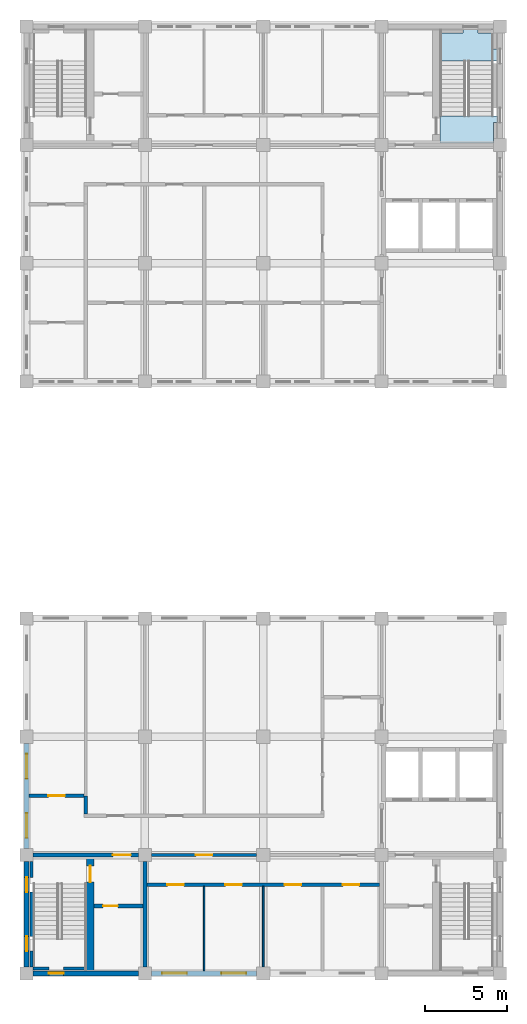
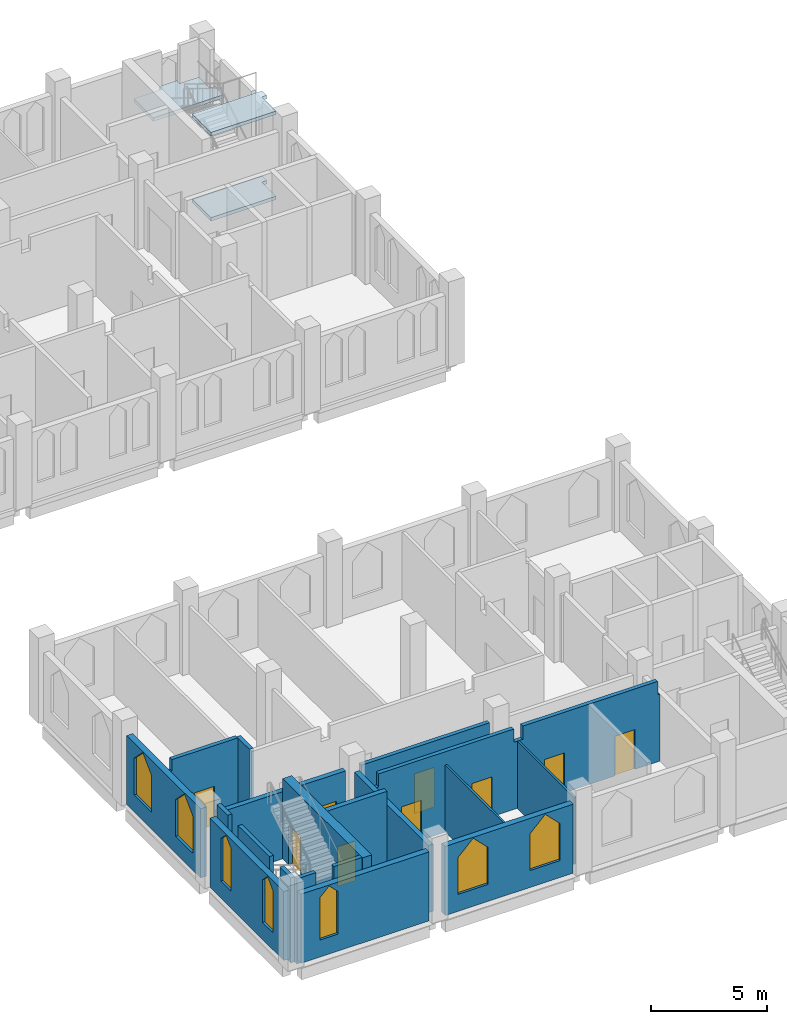
# One storey, part 2 of 11: 19 walls, 9 doors, 7 windows, 3 slabs, 16 openings, 1 element without a shape of its own.
"""IFC4 building model written with IfcOpenShell, lengths in metres."""

from ifc_helpers import new_model, si_unit, direction, frame, frame_2d, origin, place, context, subcontext, project, spatial, polyline, rectangle, outline, extrude, material, layer, layer_set, type_object, element, fill, aggregate, save


model = new_model("IFC4")

# Units and contexts
model_context = context("Model", 3, precision=1e-05, world=origin(), true_north=direction((0.0, 1.0)))
body_context = subcontext(model_context, "Body", "Model", "MODEL_VIEW")
ifc_project = project(units=[si_unit("LENGTHUNIT", "METRE"), si_unit("AREAUNIT", "SQUARE_METRE"), si_unit("VOLUMEUNIT", "CUBIC_METRE"), si_unit("PLANEANGLEUNIT", "RADIAN"), si_unit("MASSUNIT", "GRAM", prefix="KILO")], contexts=[model_context])

# Site, building, storey
site_placement = place(None, origin())
site = spatial("IfcSite", under=ifc_project, at=site_placement, CompositionType="ELEMENT")
building_placement = place(site_placement, origin())
building = spatial("IfcBuilding", under=site, at=building_placement, Name="Silangan Lancet Faculty of Sciences", CompositionType="ELEMENT")
storey_placement = place(building_placement, frame((0.0, 0.0, 45.300048828125)))
storey = spatial("IfcBuildingStorey", under=building, at=storey_placement, Name="L09", CompositionType="ELEMENT", Elevation=45.300048828125)

# Stair, slabs
ifc_material_1 = material(Name="Concrete C40/50", Category="concrete")
stair_type = type_object("IfcStairType", Name="TURRET STAIR 1550 TWO-FLIGHT", PredefinedType="HALF_TURN_STAIR", material=ifc_material_1)
stair_placement = place(storey_placement, origin())
stair = element("IfcStair", 1, at=stair_placement, inside=storey, type_object=stair_type, Name="NT-B stair L09", PredefinedType="HALF_TURN_STAIR")
ifc_material_2 = material(Name="Concrete C40/50", Category="concrete")
ifc_layer_1 = layer(ifc_material_2, 0.179931640625)
ifc_layer_set_1 = layer_set([ifc_layer_1], Name="Concrete C40/50")
slab_type = type_object("IfcSlabType", Name="TURRET STAIR LANDING RC 180", PredefinedType="LANDING", material=ifc_layer_set_1)
slab_1_placement = place(storey_placement, frame((0.0, 0.0, -0.179931640625)))
slab_1 = element("IfcSlab", 2, at=slab_1_placement, type_object=slab_type, Name="STR4 landing 1", PredefinedType="LANDING", context=body_context, shape_type="SweptSolid", body=[
    extrude(outline(polyline([(28.64990234375, 51.75), (28.39990234375, 51.75), (28.39990234375, 50.52490234375), (25.14990234375, 50.52490234375), (25.14990234375, 52.14990234375), (28.64990234375, 52.14990234375), (28.64990234375, 51.75)])), origin(), (0.0, 0.0, 1.0), 0.179931640625),
])
slab_2_placement = place(storey_placement, frame((0.0, 0.0, 2.070068359375)))
slab_2 = element("IfcSlab", 3, at=slab_2_placement, type_object=slab_type, Name="STR4 landing 2", PredefinedType="LANDING", context=body_context, shape_type="SweptSolid", body=[
    extrude(outline(polyline([(26.550048828125, 57.199951171875), (26.550048828125, 57.449951171875), (27.449951171875, 57.449951171875), (27.449951171875, 57.199951171875), (28.39990234375, 57.199951171875), (28.39990234375, 56.25), (28.64990234375, 56.25), (28.64990234375, 55.510009765625), (25.14990234375, 55.510009765625), (25.14990234375, 57.199951171875), (26.550048828125, 57.199951171875)])), origin(), (0.0, 0.0, 1.0), 0.179931640625),
])
slab_3_placement = place(storey_placement, frame((0.0, 0.0, 4.320068359375)))
slab_3 = element("IfcSlab", 4, at=slab_3_placement, type_object=slab_type, Name="STR4 landing 3", PredefinedType="LANDING", context=body_context, shape_type="SweptSolid", body=[
    extrude(outline(polyline([(28.64990234375, 51.75), (28.39990234375, 51.75), (28.39990234375, 50.52490234375), (25.14990234375, 50.52490234375), (25.14990234375, 52.14990234375), (28.64990234375, 52.14990234375), (28.64990234375, 51.75)])), origin(), (0.0, 0.0, 1.0), 0.179931640625),
])
aggregate(stair, [slab_1, slab_2, slab_3])

# Wall, openings, windows
ifc_material_3 = material(Name="Concrete C40/50 precast", Category="concrete")
ifc_layer_2 = layer(ifc_material_3, 0.300048828125)
ifc_layer_set_2 = layer_set([ifc_layer_2], Name="Concrete C40/50 precast")
wall_type_1 = type_object("IfcWallType", Name="EW1 Precast cladding wall", PredefinedType="STANDARD", material=ifc_layer_set_2)
wall_1_placement = place(storey_placement, frame((0.0, 7.60009765625, 0.0), z_axis=(0.0, 0.0, 1.0), x_axis=(0.0, 1.0, 0.0)))
wall_1 = element("IfcWall", 5, at=wall_1_placement, inside=storey, type_object=wall_type_1, Name="EW-L09-W-ST-01", PredefinedType="STANDARD", context=body_context, shape_type="SweptSolid", body=[
    extrude(rectangle(XDim=6.39990234375, YDim=0.300048828125, at=frame_2d((3.199951171875, 0.0))), origin(), (0.0, 0.0, 1.0), 3.64990234375),
])
opening_1_placement = place(wall_1_placement, frame((0.64990234375, 0.0, 0.89990234375)))
opening_1 = element("IfcOpeningElement", 6, at=opening_1_placement, cuts=wall_1, Name="Opening W23", PredefinedType="OPENING", context=body_context, shape_type="SweptSolid", body=[
    extrude(outline(polyline([(0.0, 0.0), (1.5, 0.0), (1.5, 1.949951171875), (0.75, 2.699951171875), (0.0, 1.949951171875), (0.0, 0.0)])), frame((0.0, 0.159912109375, 0.0), z_axis=(0.0, -1.0, 0.0), x_axis=(1.0, 0.0, 0.0)), (0.0, 0.0, 1.0), 0.320068359375),
])
opening_2_placement = place(wall_1_placement, frame((4.25, 0.0, 0.89990234375)))
opening_2 = element("IfcOpeningElement", 7, at=opening_2_placement, cuts=wall_1, Name="Opening W23", PredefinedType="OPENING", context=body_context, shape_type="SweptSolid", body=[
    extrude(outline(polyline([(0.0, 0.0), (1.5, 0.0), (1.5, 1.949951171875), (0.75, 2.699951171875), (0.0, 1.949951171875), (0.0, 0.0)])), frame((0.0, 0.159912109375, 0.0), z_axis=(0.0, -1.0, 0.0), x_axis=(1.0, 0.0, 0.0)), (0.0, 0.0, 1.0), 0.320068359375),
])
ifc_material_4 = material(Name="Aluminium frame, laminated double glazing", Category="aluminium")
window_type_1 = type_object("IfcWindowType", Name="W23 Lancet window 1500 x 2700", PartitioningType="SINGLE_PANEL", PredefinedType="WINDOW", material=ifc_material_4)
window_1_placement = place(opening_1_placement, origin())
window_1 = element("IfcWindow", 8, at=window_1_placement, inside=storey, type_object=window_type_1, Name="WIN-L09-W-ST-01a", OverallHeight=2.699951171875, OverallWidth=1.5, PartitioningType="SINGLE_PANEL", PredefinedType="WINDOW", context=body_context, shape_type="SweptSolid", body=[
    extrude(outline(polyline([(0.0, 0.0), (1.5, 0.0), (1.5, 1.949951171875), (0.75, 2.699951171875), (0.0, 1.949951171875), (0.0, 0.0)])), frame((0.0, 0.030029296875, 0.0), z_axis=(0.0, -1.0, 0.0), x_axis=(1.0, 0.0, 0.0)), (0.0, 0.0, 1.0), 0.06005859375),
])
fill(opening_1, window_1)
window_2_placement = place(opening_2_placement, origin())
window_2 = element("IfcWindow", 9, at=window_2_placement, inside=storey, type_object=window_type_1, Name="WIN-L09-W-ST-01b", OverallHeight=2.699951171875, OverallWidth=1.5, PartitioningType="SINGLE_PANEL", PredefinedType="WINDOW", context=body_context, shape_type="SweptSolid", body=[
    extrude(outline(polyline([(0.0, 0.0), (1.5, 0.0), (1.5, 1.949951171875), (0.75, 2.699951171875), (0.0, 1.949951171875), (0.0, 0.0)])), frame((0.0, 0.030029296875, 0.0), z_axis=(0.0, -1.0, 0.0), x_axis=(1.0, 0.0, 0.0)), (0.0, 0.0, 1.0), 0.06005859375),
])
fill(opening_2, window_2)

wall_2_placement = place(storey_placement, frame((7.60009765625, 0.0, 0.0), z_axis=(0.0, 0.0, 1.0), x_axis=(1.0, 0.0, 0.0)))
wall_2 = element("IfcWall", 10, at=wall_2_placement, inside=storey, type_object=wall_type_1, Name="EW-L09-S-ST-01", PredefinedType="STANDARD", context=body_context, shape_type="SweptSolid", body=[
    extrude(rectangle(XDim=6.39990234375, YDim=0.300048828125, at=frame_2d((3.199951171875, 0.0))), origin(), (0.0, 0.0, 1.0), 3.64990234375),
])
opening_3_placement = place(wall_2_placement, frame((0.64990234375, 0.0, 0.89990234375)))
opening_3 = element("IfcOpeningElement", 11, at=opening_3_placement, cuts=wall_2, Name="Opening W23", PredefinedType="OPENING", context=body_context, shape_type="SweptSolid", body=[
    extrude(outline(polyline([(0.0, 0.0), (1.5, 0.0), (1.5, 1.949951171875), (0.75, 2.699951171875), (0.0, 1.949951171875), (0.0, 0.0)])), frame((0.0, 0.159912109375, 0.0), z_axis=(0.0, -1.0, 0.0), x_axis=(1.0, 0.0, 0.0)), (0.0, 0.0, 1.0), 0.320068359375),
])
opening_4_placement = place(wall_2_placement, frame((4.25, 0.0, 0.89990234375)))
opening_4 = element("IfcOpeningElement", 12, at=opening_4_placement, cuts=wall_2, Name="Opening W23", PredefinedType="OPENING", context=body_context, shape_type="SweptSolid", body=[
    extrude(outline(polyline([(0.0, 0.0), (1.5, 0.0), (1.5, 1.949951171875), (0.75, 2.699951171875), (0.0, 1.949951171875), (0.0, 0.0)])), frame((0.0, 0.159912109375, 0.0), z_axis=(0.0, -1.0, 0.0), x_axis=(1.0, 0.0, 0.0)), (0.0, 0.0, 1.0), 0.320068359375),
])
window_3_placement = place(opening_3_placement, origin())
window_3 = element("IfcWindow", 13, at=window_3_placement, inside=storey, type_object=window_type_1, Name="WIN-L09-S-ST-01a", OverallHeight=2.699951171875, OverallWidth=1.5, PartitioningType="SINGLE_PANEL", PredefinedType="WINDOW", context=body_context, shape_type="SweptSolid", body=[
    extrude(outline(polyline([(0.0, 0.0), (1.5, 0.0), (1.5, 1.949951171875), (0.75, 2.699951171875), (0.0, 1.949951171875), (0.0, 0.0)])), frame((0.0, 0.030029296875, 0.0), z_axis=(0.0, -1.0, 0.0), x_axis=(1.0, 0.0, 0.0)), (0.0, 0.0, 1.0), 0.06005859375),
])
fill(opening_3, window_3)
window_4_placement = place(opening_4_placement, origin())
window_4 = element("IfcWindow", 14, at=window_4_placement, inside=storey, type_object=window_type_1, Name="WIN-L09-S-ST-01b", OverallHeight=2.699951171875, OverallWidth=1.5, PartitioningType="SINGLE_PANEL", PredefinedType="WINDOW", context=body_context, shape_type="SweptSolid", body=[
    extrude(outline(polyline([(0.0, 0.0), (1.5, 0.0), (1.5, 1.949951171875), (0.75, 2.699951171875), (0.0, 1.949951171875), (0.0, 0.0)])), frame((0.0, 0.030029296875, 0.0), z_axis=(0.0, -1.0, 0.0), x_axis=(1.0, 0.0, 0.0)), (0.0, 0.0, 1.0), 0.06005859375),
])
fill(opening_4, window_4)

ifc_material_5 = material(Name="Concrete C40/50 precast", Category="concrete")
ifc_layer_3 = layer(ifc_material_5, 0.300048828125)
ifc_layer_set_3 = layer_set([ifc_layer_3], Name="Concrete C40/50 precast")
wall_type_2 = type_object("IfcWallType", Name="EW2 Turret enclosure wall", PredefinedType="STANDARD", material=ifc_layer_set_3)
wall_3_placement = place(storey_placement, frame((0.0, 0.39990234375, 0.0), z_axis=(0.0, 0.0, 1.0), x_axis=(0.0, 1.0, 0.0)))
wall_3 = element("IfcWall", 15, at=wall_3_placement, inside=storey, type_object=wall_type_2, Name="EW-L09-W-ST-00", PredefinedType="STANDARD", context=body_context, shape_type="SweptSolid", body=[
    extrude(rectangle(XDim=6.400146484375, YDim=0.300048828125, at=frame_2d((3.2001953125, 0.0))), origin(), (0.0, 0.0, 1.0), 3.64990234375),
])
opening_5_placement = place(wall_3_placement, frame((0.949951171875, 0.0, 0.89990234375)))
opening_5 = element("IfcOpeningElement", 16, at=opening_5_placement, cuts=wall_3, Name="Opening W22", PredefinedType="OPENING", context=body_context, shape_type="SweptSolid", body=[
    extrude(outline(polyline([(0.0, 0.0), (0.89990234375, 0.0), (0.89990234375, 2.25), (0.449951171875, 2.699951171875), (0.0, 2.25), (0.0, 0.0)])), frame((0.0, 0.159912109375, 0.0), z_axis=(0.0, -1.0, 0.0), x_axis=(1.0, 0.0, 0.0)), (0.0, 0.0, 1.0), 0.320068359375),
])
opening_6_placement = place(wall_3_placement, frame((4.550048828125, 0.0, 0.89990234375)))
opening_6 = element("IfcOpeningElement", 17, at=opening_6_placement, cuts=wall_3, Name="Opening W22", PredefinedType="OPENING", context=body_context, shape_type="SweptSolid", body=[
    extrude(outline(polyline([(0.0, 0.0), (0.89990234375, 0.0), (0.89990234375, 2.25), (0.449951171875, 2.699951171875), (0.0, 2.25), (0.0, 0.0)])), frame((0.0, 0.159912109375, 0.0), z_axis=(0.0, -1.0, 0.0), x_axis=(1.0, 0.0, 0.0)), (0.0, 0.0, 1.0), 0.320068359375),
])
ifc_material_6 = material(Name="Aluminium frame, laminated double glazing", Category="aluminium")
window_type_2 = type_object("IfcWindowType", Name="W22 Lancet window 900 x 2700", PartitioningType="SINGLE_PANEL", PredefinedType="WINDOW", material=ifc_material_6)
window_5_placement = place(opening_5_placement, origin())
window_5 = element("IfcWindow", 18, at=window_5_placement, inside=storey, type_object=window_type_2, Name="WIN-L09-W-ST-00a", OverallHeight=2.699951171875, OverallWidth=0.89990234375, PartitioningType="SINGLE_PANEL", PredefinedType="WINDOW", context=body_context, shape_type="SweptSolid", body=[
    extrude(outline(polyline([(0.0, 0.0), (0.89990234375, 0.0), (0.89990234375, 2.25), (0.449951171875, 2.699951171875), (0.0, 2.25), (0.0, 0.0)])), frame((0.0, 0.030029296875, 0.0), z_axis=(0.0, -1.0, 0.0), x_axis=(1.0, 0.0, 0.0)), (0.0, 0.0, 1.0), 0.06005859375),
])
fill(opening_5, window_5)
window_6_placement = place(opening_6_placement, origin())
window_6 = element("IfcWindow", 19, at=window_6_placement, inside=storey, type_object=window_type_2, Name="WIN-L09-W-ST-00b", OverallHeight=2.699951171875, OverallWidth=0.89990234375, PartitioningType="SINGLE_PANEL", PredefinedType="WINDOW", context=body_context, shape_type="SweptSolid", body=[
    extrude(outline(polyline([(0.0, 0.0), (0.89990234375, 0.0), (0.89990234375, 2.25), (0.449951171875, 2.699951171875), (0.0, 2.25), (0.0, 0.0)])), frame((0.0, 0.030029296875, 0.0), z_axis=(0.0, -1.0, 0.0), x_axis=(1.0, 0.0, 0.0)), (0.0, 0.0, 1.0), 0.06005859375),
])
fill(opening_6, window_6)

# Wall, opening, window
wall_4_placement = place(storey_placement, frame((0.39990234375, 0.0, 0.0), z_axis=(0.0, 0.0, 1.0), x_axis=(1.0, 0.0, 0.0)))
wall_4 = element("IfcWall", 20, at=wall_4_placement, inside=storey, type_object=wall_type_2, Name="EW-L09-S-ST-00", PredefinedType="STANDARD", context=body_context, shape_type="SweptSolid", body=[
    extrude(rectangle(XDim=6.400146484375, YDim=0.300048828125, at=frame_2d((3.2001953125, 0.0))), origin(), (0.0, 0.0, 1.0), 3.64990234375),
])
opening_7_placement = place(wall_4_placement, frame((0.949951171875, 0.0, 0.89990234375)))
opening_7 = element("IfcOpeningElement", 21, at=opening_7_placement, cuts=wall_4, Name="Opening W22", PredefinedType="OPENING", context=body_context, shape_type="SweptSolid", body=[
    extrude(outline(polyline([(0.0, 0.0), (0.89990234375, 0.0), (0.89990234375, 2.25), (0.449951171875, 2.699951171875), (0.0, 2.25), (0.0, 0.0)])), frame((0.0, 0.159912109375, 0.0), z_axis=(0.0, -1.0, 0.0), x_axis=(1.0, 0.0, 0.0)), (0.0, 0.0, 1.0), 0.320068359375),
])
window_7_placement = place(opening_7_placement, origin())
window_7 = element("IfcWindow", 22, at=window_7_placement, inside=storey, type_object=window_type_2, Name="WIN-L09-S-ST-00a", OverallHeight=2.699951171875, OverallWidth=0.89990234375, PartitioningType="SINGLE_PANEL", PredefinedType="WINDOW", context=body_context, shape_type="SweptSolid", body=[
    extrude(outline(polyline([(0.0, 0.0), (0.89990234375, 0.0), (0.89990234375, 2.25), (0.449951171875, 2.699951171875), (0.0, 2.25), (0.0, 0.0)])), frame((0.0, 0.030029296875, 0.0), z_axis=(0.0, -1.0, 0.0), x_axis=(1.0, 0.0, 0.0)), (0.0, 0.0, 1.0), 0.06005859375),
])
fill(opening_7, window_7)

# Wall, openings, doors
ifc_material_7 = material(Name="Hollow block masonry fm 7 MPa", Category="masonry")
ifc_layer_4 = layer(ifc_material_7, 0.199951171875)
ifc_layer_set_4 = layer_set([ifc_layer_4], Name="Hollow block masonry fm 7 MPa")
wall_type_3 = type_object("IfcWallType", Name="Interior wall PW1 Corridor wall CHB 200", PredefinedType="PARTITIONING", material=ifc_layer_set_4)
wall_5_placement = place(storey_placement, frame((7.324951171875, 5.39990234375, 0.0), z_axis=(0.0, 0.0, 1.0), x_axis=(1.0, 0.0, 0.0)))
wall_5 = element("IfcWall", 23, at=wall_5_placement, inside=storey, type_object=wall_type_3, Name="Corridor wall CHB 200", PredefinedType="PARTITIONING", context=body_context, shape_type="SweptSolid", body=[
    extrude(outline(polyline([(0.0, 0.0), (14.150146484375, 0.0), (14.150146484375, 3.550048828125), (14.050048828125, 3.550048828125), (14.050048828125, 4.25), (7.300048828125, 4.25), (7.300048828125, 3.550048828125), (6.85009765625, 3.550048828125), (6.85009765625, 4.25), (0.10009765625, 4.25), (0.10009765625, 3.550048828125), (0.0, 3.550048828125), (0.0, 0.0)])), frame((0.0, 0.10009765625, 0.0), z_axis=(0.0, -1.0, 0.0), x_axis=(1.0, 0.0, 0.0)), (0.0, 0.0, 1.0), 0.199951171875),
])
opening_8_placement = place(wall_5_placement, frame((1.237548828125, 0.0, 0.0)))
opening_8 = element("IfcOpeningElement", 24, at=opening_8_placement, cuts=wall_5, Name="Opening L09-007", PredefinedType="OPENING", context=body_context, shape_type="SweptSolid", body=[
    extrude(rectangle(XDim=1.0, YDim=2.10009765625, at=frame_2d((0.5, 1.050048828125))), frame((0.0, 0.10986328125, 0.0), z_axis=(0.0, -1.0, 0.0), x_axis=(1.0, 0.0, 0.0)), (0.0, 0.0, 1.0), 0.219970703125),
])
opening_9_placement = place(wall_5_placement, frame((4.77490234375, 0.0, 0.0)))
opening_9 = element("IfcOpeningElement", 25, at=opening_9_placement, cuts=wall_5, Name="Opening L09-008", PredefinedType="OPENING", context=body_context, shape_type="SweptSolid", body=[
    extrude(rectangle(XDim=1.0, YDim=2.10009765625, at=frame_2d((0.5, 1.050048828125))), frame((0.0, 0.10986328125, 0.0), z_axis=(0.0, -1.0, 0.0), x_axis=(1.0, 0.0, 0.0)), (0.0, 0.0, 1.0), 0.219970703125),
])
opening_10_placement = place(wall_5_placement, frame((8.375, 0.0, 0.0)))
opening_10 = element("IfcOpeningElement", 26, at=opening_10_placement, cuts=wall_5, Name="Opening L09-009", PredefinedType="OPENING", context=body_context, shape_type="SweptSolid", body=[
    extrude(rectangle(XDim=1.0, YDim=2.10009765625, at=frame_2d((0.5, 1.050048828125))), frame((0.0, 0.10986328125, 0.0), z_axis=(0.0, -1.0, 0.0), x_axis=(1.0, 0.0, 0.0)), (0.0, 0.0, 1.0), 0.219970703125),
])
opening_11_placement = place(wall_5_placement, frame((11.91259765625, 0.0, 0.0)))
opening_11 = element("IfcOpeningElement", 27, at=opening_11_placement, cuts=wall_5, Name="Opening L09-010", PredefinedType="OPENING", context=body_context, shape_type="SweptSolid", body=[
    extrude(rectangle(XDim=1.0, YDim=2.10009765625, at=frame_2d((0.5, 1.050048828125))), frame((0.0, 0.10986328125, 0.0), z_axis=(0.0, -1.0, 0.0), x_axis=(1.0, 0.0, 0.0)), (0.0, 0.0, 1.0), 0.219970703125),
])
ifc_material_8 = material(Name="Steel fire door set", Category="steel")
door_type_1 = type_object("IfcDoorType", Name="Door D1 Single leaf fire door 1000 x 2100", OperationType="SINGLE_SWING_LEFT", PredefinedType="DOOR", material=ifc_material_8)
door_1_placement = place(opening_8_placement, frame((1.0, 0.0, 0.0), z_axis=(0.0, 0.0, 1.0), x_axis=(-1.0, 0.0, 0.0)))
door_1 = element("IfcDoor", 28, at=door_1_placement, inside=storey, type_object=door_type_1, Name="Single leaf fire door 1000 x 2100", OperationType="SINGLE_SWING_LEFT", OverallHeight=2.10009765625, OverallWidth=1.0, PredefinedType="DOOR", context=body_context, shape_type="SweptSolid", body=[
    extrude(rectangle(XDim=1.0, YDim=2.10009765625, at=frame_2d((0.5, 1.050048828125))), frame((0.0, 0.025146484375, 0.0), z_axis=(0.0, -1.0, 0.0), x_axis=(1.0, 0.0, 0.0)), (0.0, 0.0, 1.0), 0.050048828125),
])
fill(opening_8, door_1)
door_2_placement = place(opening_9_placement, frame((1.0, 0.0, 0.0), z_axis=(0.0, 0.0, 1.0), x_axis=(-1.0, 0.0, 0.0)))
door_2 = element("IfcDoor", 29, at=door_2_placement, inside=storey, type_object=door_type_1, Name="Single leaf fire door 1000 x 2100", OperationType="SINGLE_SWING_RIGHT", OverallHeight=2.10009765625, OverallWidth=1.0, PredefinedType="DOOR", context=body_context, shape_type="SweptSolid", body=[
    extrude(rectangle(XDim=1.0, YDim=2.10009765625, at=frame_2d((0.5, 1.050048828125))), frame((0.0, 0.025146484375, 0.0), z_axis=(0.0, -1.0, 0.0), x_axis=(1.0, 0.0, 0.0)), (0.0, 0.0, 1.0), 0.050048828125),
])
fill(opening_9, door_2)
door_3_placement = place(opening_10_placement, frame((1.0, 0.0, 0.0), z_axis=(0.0, 0.0, 1.0), x_axis=(-1.0, 0.0, 0.0)))
door_3 = element("IfcDoor", 30, at=door_3_placement, inside=storey, type_object=door_type_1, Name="Single leaf fire door 1000 x 2100", OperationType="SINGLE_SWING_LEFT", OverallHeight=2.10009765625, OverallWidth=1.0, PredefinedType="DOOR", context=body_context, shape_type="SweptSolid", body=[
    extrude(rectangle(XDim=1.0, YDim=2.10009765625, at=frame_2d((0.5, 1.050048828125))), frame((0.0, 0.025146484375, 0.0), z_axis=(0.0, -1.0, 0.0), x_axis=(1.0, 0.0, 0.0)), (0.0, 0.0, 1.0), 0.050048828125),
])
fill(opening_10, door_3)
door_4_placement = place(opening_11_placement, frame((1.0, 0.0, 0.0), z_axis=(0.0, 0.0, 1.0), x_axis=(-1.0, 0.0, 0.0)))
door_4 = element("IfcDoor", 31, at=door_4_placement, inside=storey, type_object=door_type_1, Name="Single leaf fire door 1000 x 2100", OperationType="SINGLE_SWING_RIGHT", OverallHeight=2.10009765625, OverallWidth=1.0, PredefinedType="DOOR", context=body_context, shape_type="SweptSolid", body=[
    extrude(rectangle(XDim=1.0, YDim=2.10009765625, at=frame_2d((0.5, 1.050048828125))), frame((0.0, 0.025146484375, 0.0), z_axis=(0.0, -1.0, 0.0), x_axis=(1.0, 0.0, 0.0)), (0.0, 0.0, 1.0), 0.050048828125),
])
fill(opening_11, door_4)

# Wall, opening, door
wall_6_placement = place(storey_placement, frame((7.60009765625, 7.199951171875, 0.0), z_axis=(0.0, 0.0, 1.0), x_axis=(1.0, 0.0, 0.0)))
wall_6 = element("IfcWall", 32, at=wall_6_placement, inside=storey, type_object=wall_type_3, Name="Corridor wall CHB 200", PredefinedType="PARTITIONING", context=body_context, shape_type="SweptSolid", body=[
    extrude(rectangle(XDim=6.39990234375, YDim=0.199951171875, at=frame_2d((3.199951171875, 0.0))), origin(), (0.0, 0.0, 1.0), 3.550048828125),
])
opening_12_placement = place(wall_6_placement, frame((2.699951171875, 0.0, 0.0)))
opening_12 = element("IfcOpeningElement", 33, at=opening_12_placement, cuts=wall_6, Name="Opening L09-002", PredefinedType="OPENING", context=body_context, shape_type="SweptSolid", body=[
    extrude(rectangle(XDim=1.0, YDim=2.10009765625, at=frame_2d((0.5, 1.050048828125))), frame((0.0, 0.10986328125, 0.0), z_axis=(0.0, -1.0, 0.0), x_axis=(1.0, 0.0, 0.0)), (0.0, 0.0, 1.0), 0.219970703125),
])
door_5_placement = place(opening_12_placement, frame((1.0, 0.0, 0.0), z_axis=(0.0, 0.0, 1.0), x_axis=(-1.0, 0.0, 0.0)))
door_5 = element("IfcDoor", 34, at=door_5_placement, inside=storey, type_object=door_type_1, Name="Single leaf fire door 1000 x 2100", OperationType="SINGLE_SWING_RIGHT", OverallHeight=2.10009765625, OverallWidth=1.0, PredefinedType="DOOR", context=body_context, shape_type="SweptSolid", body=[
    extrude(rectangle(XDim=1.0, YDim=2.10009765625, at=frame_2d((0.5, 1.050048828125))), frame((0.0, 0.025146484375, 0.0), z_axis=(0.0, -1.0, 0.0), x_axis=(1.0, 0.0, 0.0)), (0.0, 0.0, 1.0), 0.050048828125),
])
fill(opening_12, door_5)

wall_7_placement = place(storey_placement, frame((0.14990234375, 10.800048828125, 0.0), z_axis=(0.0, 0.0, 1.0), x_axis=(1.0, 0.0, 0.0)))
wall_7 = element("IfcWall", 35, at=wall_7_placement, inside=storey, type_object=wall_type_3, Name="Corridor wall CHB 200", PredefinedType="PARTITIONING", context=body_context, shape_type="SweptSolid", body=[
    extrude(outline(polyline([(0.0, 0.0), (3.35009765625, 0.0), (3.35009765625, 4.25), (0.050048828125, 4.25), (0.050048828125, 3.64990234375), (0.0, 3.64990234375), (0.0, 0.0)])), frame((0.0, 0.10009765625, 0.0), z_axis=(0.0, -1.0, 0.0), x_axis=(1.0, 0.0, 0.0)), (0.0, 0.0, 1.0), 0.199951171875),
])
opening_13_placement = place(wall_7_placement, frame((1.175048828125, 0.0, 0.0)))
opening_13 = element("IfcOpeningElement", 36, at=opening_13_placement, cuts=wall_7, Name="Opening L09-013", PredefinedType="OPENING", context=body_context, shape_type="SweptSolid", body=[
    extrude(rectangle(XDim=1.0, YDim=2.10009765625, at=frame_2d((0.5, 1.050048828125))), frame((0.0, 0.10986328125, 0.0), z_axis=(0.0, -1.0, 0.0), x_axis=(1.0, 0.0, 0.0)), (0.0, 0.0, 1.0), 0.219970703125),
])
door_6_placement = place(opening_13_placement, origin())
door_6 = element("IfcDoor", 37, at=door_6_placement, inside=storey, type_object=door_type_1, Name="Single leaf fire door 1000 x 2100", OperationType="SINGLE_SWING_RIGHT", OverallHeight=2.10009765625, OverallWidth=1.0, PredefinedType="DOOR", context=body_context, shape_type="SweptSolid", body=[
    extrude(rectangle(XDim=1.0, YDim=2.10009765625, at=frame_2d((0.5, 1.050048828125))), frame((0.0, 0.02490234375, 0.0), z_axis=(0.0, -1.0, 0.0), x_axis=(1.0, 0.0, 0.0)), (0.0, 0.0, 1.0), 0.050048828125),
])
fill(opening_13, door_6)

# Walls
wall_8_placement = place(storey_placement, frame((3.60009765625, 9.699951171875, 0.0), z_axis=(0.0, 0.0, 1.0), x_axis=(0.0, 1.0, 0.0)))
element("IfcWall", 38, at=wall_8_placement, inside=storey, type_object=wall_type_3, Name="Corridor wall CHB 200", PredefinedType="PARTITIONING", context=body_context, shape_type="SweptSolid", body=[
    extrude(rectangle(XDim=1.10009765625, YDim=0.199951171875, at=frame_2d((0.550048828125, 0.0))), origin(), (0.0, 0.0, 1.0), 4.25),
])
ifc_material_9 = material(Name="Hollow block masonry fm 7 MPa", Category="masonry")
ifc_layer_5 = layer(ifc_material_9, 0.10009765625)
ifc_layer_set_5 = layer_set([ifc_layer_5], Name="Hollow block masonry fm 7 MPa")
wall_type_4 = type_object("IfcWallType", Name="Interior wall PW8 WC partition CHB 100", PredefinedType="PARTITIONING", material=ifc_layer_set_5)
wall_9_placement = place(storey_placement, frame((10.800048828125, 0.14990234375, 0.0), z_axis=(0.0, 0.0, 1.0), x_axis=(0.0, 1.0, 0.0)))
element("IfcWall", 39, at=wall_9_placement, inside=storey, type_object=wall_type_4, Name="WC partition CHB 100", PredefinedType="PARTITIONING", context=body_context, shape_type="SweptSolid", body=[
    extrude(rectangle(XDim=5.150146484375, YDim=0.10009765625, at=frame_2d((2.5751953125, 0.0))), origin(), (0.0, 0.0, 1.0), 3.550048828125),
])
wall_10_placement = place(storey_placement, frame((14.39990234375, 0.39990234375, 0.0), z_axis=(0.0, 0.0, 1.0), x_axis=(0.0, 1.0, 0.0)))
element("IfcWall", 40, at=wall_10_placement, inside=storey, type_object=wall_type_4, Name="WC partition CHB 100", PredefinedType="PARTITIONING", context=body_context, shape_type="SweptSolid", body=[
    extrude(rectangle(XDim=4.900146484375, YDim=0.10009765625, at=frame_2d((2.4501953125, 0.0))), origin(), (0.0, 0.0, 1.0), 3.550048828125),
])

# Wall, opening, door
ifc_material_10 = material(Name="Concrete C40/50", Category="concrete")
ifc_layer_6 = layer(ifc_material_10, 0.449951171875)
ifc_layer_set_6 = layer_set([ifc_layer_6], Name="Concrete C40/50")
wall_type_5 = type_object("IfcWallType", Name="TURRET CORE WALL RC 450", PredefinedType="SHEAR", material=ifc_layer_set_6)
wall_11_placement = place(storey_placement, frame((3.875, 0.14990234375, 0.0), z_axis=(0.0, 0.0, 1.0), x_axis=(0.0, 1.0, 0.0)))
wall_11 = element("IfcWall", 41, at=wall_11_placement, inside=storey, type_object=wall_type_5, Name="WALL-L09-ST-A-WELL", PredefinedType="SHEAR", context=body_context, shape_type="SweptSolid", body=[
    extrude(rectangle(XDim=6.925048828125, YDim=0.449951171875, at=frame_2d((3.46240234375, 0.0))), origin(), (0.0, 0.0, 1.0), 4.25),
])
opening_14_placement = place(wall_11_placement, frame((5.39990234375, 0.0, 0.0)))
opening_14 = element("IfcOpeningElement", 42, at=opening_14_placement, cuts=wall_11, Name="Opening L09-707", PredefinedType="OPENING", context=body_context, shape_type="SweptSolid", body=[
    extrude(rectangle(XDim=1.0, YDim=2.10009765625, at=frame_2d((0.5, 1.050048828125))), frame((0.0, 0.23486328125, 0.0), z_axis=(0.0, -1.0, 0.0), x_axis=(1.0, 0.0, 0.0)), (0.0, 0.0, 1.0), 0.469970703125),
])
ifc_material_11 = material(Name="Steel fire door set", Category="steel")
door_type_2 = type_object("IfcDoorType", Name="D71 Stair enclosure door 1000x2100", OperationType="SINGLE_SWING_LEFT", PredefinedType="DOOR", material=ifc_material_11)
door_7_placement = place(opening_14_placement, origin())
door_7 = element("IfcDoor", 43, at=door_7_placement, inside=storey, type_object=door_type_2, Name="Stair enclosure door ST-A L09", OperationType="SINGLE_SWING_RIGHT", OverallHeight=2.10009765625, OverallWidth=1.0, PredefinedType="DOOR", context=body_context, shape_type="SweptSolid", body=[
    extrude(rectangle(XDim=1.0, YDim=2.10009765625, at=frame_2d((0.5, 1.050048828125))), frame((0.0, 0.02490234375, 0.0), z_axis=(0.0, -1.0, 0.0), x_axis=(1.0, 0.0, 0.0)), (0.0, 0.0, 1.0), 0.050048828125),
])
fill(opening_14, door_7)

# Walls
ifc_material_12 = material(Name="Concrete C40/50", Category="concrete")
ifc_layer_7 = layer(ifc_material_12, 0.199951171875)
ifc_layer_set_7 = layer_set([ifc_layer_7], Name="Concrete C40/50")
wall_type_6 = type_object("IfcWallType", Name="TURRET LINING WALL RC 200", PredefinedType="SHEAR", material=ifc_layer_set_7)
wall_12_placement = place(storey_placement, frame((0.300048828125, 0.39990234375, -0.25), z_axis=(0.0, 0.0, 1.0), x_axis=(0.0, 1.0, 0.0)))
element("IfcWall", 44, at=wall_12_placement, inside=storey, type_object=wall_type_6, Name="WALL-L09-ST-A-WL", PredefinedType="SHEAR", context=body_context, shape_type="SweptSolid", body=[
    extrude(rectangle(XDim=0.9501953125, YDim=0.199951171875, at=frame_2d((0.47509765625, 0.0))), origin(), (0.0, 0.0, 1.0), 4.5),
])
wall_13_placement = place(storey_placement, frame((0.300048828125, 2.25, -0.25), z_axis=(0.0, 0.0, 1.0), x_axis=(0.0, 1.0, 0.0)))
element("IfcWall", 45, at=wall_13_placement, inside=storey, type_object=wall_type_6, Name="WALL-L09-ST-A-WL-2", PredefinedType="SHEAR", context=body_context, shape_type="SweptSolid", body=[
    extrude(rectangle(XDim=2.699951171875, YDim=0.199951171875, at=frame_2d((1.35009765625, 0.0))), origin(), (0.0, 0.0, 1.0), 4.5),
])
wall_14_placement = place(storey_placement, frame((0.300048828125, 5.85009765625, -0.25), z_axis=(0.0, 0.0, 1.0), x_axis=(0.0, 1.0, 0.0)))
element("IfcWall", 46, at=wall_14_placement, inside=storey, type_object=wall_type_6, Name="WALL-L09-ST-A-WL-3", PredefinedType="SHEAR", context=body_context, shape_type="SweptSolid", body=[
    extrude(rectangle(XDim=0.949951171875, YDim=0.199951171875, at=frame_2d((0.47509765625, 0.0))), origin(), (0.0, 0.0, 1.0), 4.5),
])
wall_15_placement = place(storey_placement, frame((0.39990234375, 0.300048828125, -0.25), z_axis=(0.0, 0.0, 1.0), x_axis=(1.0, 0.0, 0.0)))
element("IfcWall", 47, at=wall_15_placement, inside=storey, type_object=wall_type_6, Name="WALL-L09-ST-A-WLD", PredefinedType="SHEAR", context=body_context, shape_type="SweptSolid", body=[
    extrude(rectangle(XDim=0.9501953125, YDim=0.199951171875, at=frame_2d((0.47509765625, 0.0))), origin(), (0.0, 0.0, 1.0), 4.5),
])
wall_16_placement = place(storey_placement, frame((2.25, 0.300048828125, -0.25), z_axis=(0.0, 0.0, 1.0), x_axis=(1.0, 0.0, 0.0)))
element("IfcWall", 48, at=wall_16_placement, inside=storey, type_object=wall_type_6, Name="WALL-L09-ST-A-WLD-2", PredefinedType="SHEAR", context=body_context, shape_type="SweptSolid", body=[
    extrude(rectangle(XDim=1.39990234375, YDim=0.199951171875, at=frame_2d((0.699951171875, 0.0))), origin(), (0.0, 0.0, 1.0), 4.5),
])

# Wall, opening, door
ifc_material_13 = material(Name="Concrete C40/50", Category="concrete")
ifc_layer_8 = layer(ifc_material_13, 0.25)
ifc_layer_set_8 = layer_set([ifc_layer_8], Name="Concrete C40/50")
wall_type_7 = type_object("IfcWallType", Name="TURRET WALL RC 250", PredefinedType="SHEAR", material=ifc_layer_set_8)
wall_17_placement = place(storey_placement, frame((0.39990234375, 7.199951171875, 0.0), z_axis=(0.0, 0.0, 1.0), x_axis=(1.0, 0.0, 0.0)))
wall_17 = element("IfcWall", 49, at=wall_17_placement, inside=storey, type_object=wall_type_7, Name="WALL-L09-ST-A-V", PredefinedType="SHEAR", context=body_context, shape_type="SweptSolid", body=[
    extrude(rectangle(XDim=6.400146484375, YDim=0.25, at=frame_2d((3.2001953125, 0.0))), origin(), (0.0, 0.0, 1.0), 3.550048828125),
])
opening_15_placement = place(wall_17_placement, frame((4.85009765625, 0.0, 0.0)))
opening_15 = element("IfcOpeningElement", 50, at=opening_15_placement, cuts=wall_17, Name="Opening L09-708", PredefinedType="OPENING", context=body_context, shape_type="SweptSolid", body=[
    extrude(rectangle(XDim=1.10009765625, YDim=2.10009765625, at=frame_2d((0.550048828125, 1.050048828125))), frame((0.0, 0.135009765625, 0.0), z_axis=(0.0, -1.0, 0.0), x_axis=(1.0, 0.0, 0.0)), (0.0, 0.0, 1.0), 0.27001953125),
])
ifc_material_14 = material(Name="Steel fire door set", Category="steel")
door_type_3 = type_object("IfcDoorType", Name="D70 Stair vestibule door 1100x2100", OperationType="SINGLE_SWING_LEFT", PredefinedType="DOOR", material=ifc_material_14)
door_8_placement = place(opening_15_placement, frame((1.10009765625, 0.0, 0.0), z_axis=(0.0, 0.0, 1.0), x_axis=(-1.0, 0.0, 0.0)))
door_8 = element("IfcDoor", 51, at=door_8_placement, inside=storey, type_object=door_type_3, Name="Stair vestibule door ST-A L09", OperationType="SINGLE_SWING_LEFT", OverallHeight=2.10009765625, OverallWidth=1.10009765625, PredefinedType="DOOR", context=body_context, shape_type="SweptSolid", body=[
    extrude(rectangle(XDim=1.10009765625, YDim=2.10009765625, at=frame_2d((0.550048828125, 1.050048828125))), frame((0.0, 0.025146484375, 0.0), z_axis=(0.0, -1.0, 0.0), x_axis=(1.0, 0.0, 0.0)), (0.0, 0.0, 1.0), 0.050048828125),
])
fill(opening_15, door_8)

# Wall
wall_18_placement = place(storey_placement, frame((7.199951171875, 0.39990234375, 0.0), z_axis=(0.0, 0.0, 1.0), x_axis=(0.0, 1.0, 0.0)))
element("IfcWall", 52, at=wall_18_placement, inside=storey, type_object=wall_type_7, Name="WALL-L09-ST-A-O", PredefinedType="SHEAR", context=body_context, shape_type="SweptSolid", body=[
    extrude(rectangle(XDim=6.400146484375, YDim=0.25, at=frame_2d((3.2001953125, 0.0))), origin(), (0.0, 0.0, 1.0), 3.550048828125),
])

# Wall, opening, door
wall_19_placement = place(storey_placement, frame((4.10009765625, 4.10009765625, 0.0), z_axis=(0.0, 0.0, 1.0), x_axis=(1.0, 0.0, 0.0)))
wall_19 = element("IfcWall", 53, at=wall_19_placement, inside=storey, type_object=wall_type_7, Name="WALL-L09-ST-A-RISER", PredefinedType="SHEAR", context=body_context, shape_type="SweptSolid", body=[
    extrude(rectangle(XDim=2.974853515625, YDim=0.25, at=frame_2d((1.4873046875, 0.0))), origin(), (0.0, 0.0, 1.0), 4.25),
])
opening_16_placement = place(wall_19_placement, frame((0.550048828125, 0.0, 0.0)))
opening_16 = element("IfcOpeningElement", 54, at=opening_16_placement, cuts=wall_19, Name="Opening L09-709", PredefinedType="OPENING", context=body_context, shape_type="SweptSolid", body=[
    extrude(rectangle(XDim=0.89990234375, YDim=2.10009765625, at=frame_2d((0.449951171875, 1.050048828125))), frame((0.0, 0.135009765625, 0.0), z_axis=(0.0, -1.0, 0.0), x_axis=(1.0, 0.0, 0.0)), (0.0, 0.0, 1.0), 0.27001953125),
])
ifc_material_15 = material(Name="Steel fire door set", Category="steel")
door_type_4 = type_object("IfcDoorType", Name="D72 Riser access door 900x2100", OperationType="SINGLE_SWING_LEFT", PredefinedType="DOOR", material=ifc_material_15)
door_9_placement = place(opening_16_placement, frame((0.89990234375, 0.0, 0.0), z_axis=(0.0, 0.0, 1.0), x_axis=(-1.0, 0.0, 0.0)))
door_9 = element("IfcDoor", 55, at=door_9_placement, inside=storey, type_object=door_type_4, Name="Riser access door ST-A L09", OperationType="SINGLE_SWING_LEFT", OverallHeight=2.10009765625, OverallWidth=0.89990234375, PredefinedType="DOOR", context=body_context, shape_type="SweptSolid", body=[
    extrude(rectangle(XDim=0.89990234375, YDim=2.10009765625, at=frame_2d((0.449951171875, 1.050048828125))), frame((0.0, 0.025146484375, 0.0), z_axis=(0.0, -1.0, 0.0), x_axis=(1.0, 0.0, 0.0)), (0.0, 0.0, 1.0), 0.050048828125),
])
fill(opening_16, door_9)

save(model, "model.ifc")
